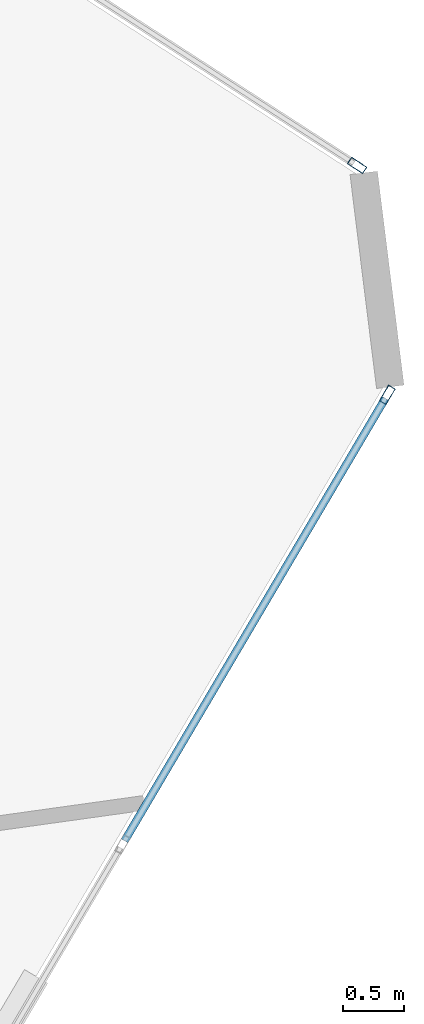
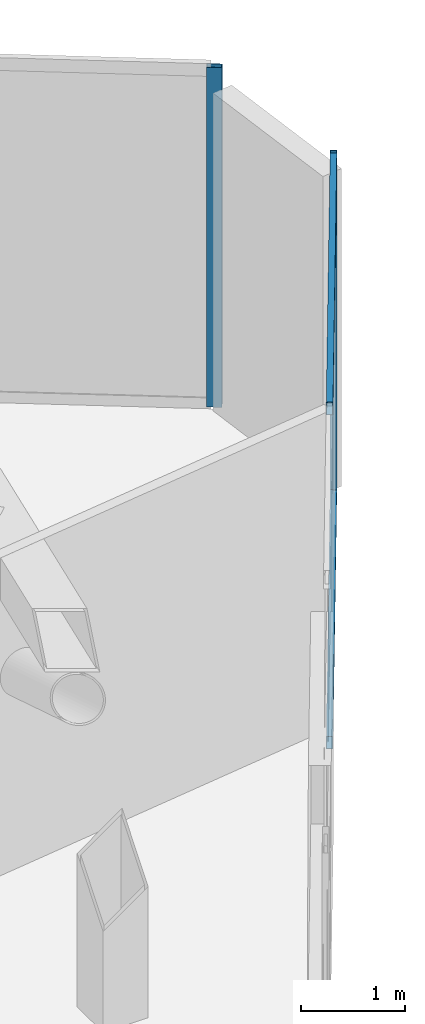
# One storey, part 14 of 19: 4 members, 2 elements without a shape of their own.
"""IFC4 building model written with IfcOpenShell, lengths in metres."""

from ifc_helpers import new_model, si_unit, direction, frame, origin, origin_2d, place, context, subcontext, project, spatial, hollow_rectangle, extrude, source, transform, mapped, material, layer, layer_set, material_profile, profile_set, type_object, type_shapes, element, aggregate, save


model = new_model("IFC4")

# Units and contexts
model_context = context("Model", 3, precision=1e-05, world=origin(), true_north=direction((0.0, 1.0)))
body_context = subcontext(model_context, "Body", "Model", "MODEL_VIEW")
ifc_project = project(units=[si_unit("LENGTHUNIT", "METRE"), si_unit("AREAUNIT", "SQUARE_METRE"), si_unit("VOLUMEUNIT", "CUBIC_METRE"), si_unit("PLANEANGLEUNIT", "RADIAN"), si_unit("MASSUNIT", "GRAM", prefix="KILO")], contexts=[model_context])

# Site, building, storey
site_placement = place(None, origin())
site = spatial("IfcSite", under=ifc_project, at=site_placement, CompositionType="ELEMENT")
building_placement = place(site_placement, origin())
building = spatial("IfcBuilding", under=site, at=building_placement, Name="Talar Marvaseh", CompositionType="ELEMENT")
storey_placement = place(building_placement, frame((0.0, 0.0, 296.0)))
storey = spatial("IfcBuildingStorey", under=building, at=storey_placement, Name="L79", CompositionType="ELEMENT", Elevation=296.0)

# Curtain wall, members
ifc_material = material(Name="Architectural Aluminium", Category="aluminium")
ifc_layer = layer(ifc_material, 0.2099609375)
ifc_layer_set = layer_set([ifc_layer], Name="Architectural Aluminium")
curtain_wall_type = type_object("IfcCurtainWallType", Name="Crown Plant Acoustic Spandrel Curtain Wall", PredefinedType="NOTDEFINED", material=ifc_layer_set)
curtain_wall_1_placement = place(storey_placement, origin())
curtain_wall_1 = element("IfcCurtainWall", 1, at=curtain_wall_1_placement, inside=storey, type_object=curtain_wall_type, Name="L79 Crown Plant Acoustic Spandrel Curtain Wall", PredefinedType="NOTDEFINED")
ifc_material_profile_1 = material_profile(ifc_material, hollow_rectangle(XDim=0.06494140625, YDim=0.14990234375, WallThickness=0.00390625, at=origin_2d()), Name="RHS150x65x4")
ifc_profile_set_1 = profile_set([ifc_material_profile_1], Name="Architectural Aluminium")
member_type_1 = type_object("IfcMemberType", Name="Unitised Curtain Wall Slim Transom RHS150x65x4", PredefinedType="USERDEFINED", material=ifc_profile_set_1)
shared_shape_1 = source(origin(), body_context, "Body", "SweptSolid", [
    extrude(hollow_rectangle(XDim=0.06494140625, YDim=0.14990234375, WallThickness=0.00390625, at=origin_2d()), origin(), (0.0, 0.0, 1.0), 4.188720703125),
])
type_shapes(member_type_1, [shared_shape_1])
member_1_placement = place(storey_placement, frame((43.3779296875, 32.960693359375, 0.032470703125), z_axis=(-0.507656771045, -0.86155940179, 0.0), x_axis=(0.86155940179, -0.507656771045, 0.0)))
member_1 = element("IfcMember", 2, at=member_1_placement, type_object=member_type_1, Name="CW-CRN transom 1.1", ObjectType="TRANSOM", PredefinedType="USERDEFINED", context=body_context, shape_type="MappedRepresentation", body=[
    mapped(shared_shape_1, transform((0.0, 0.0, 0.0), x_axis=(1.0, 0.0, 0.0), y_axis=(0.0, 1.0, 0.0), z_axis=(0.0, 0.0, 1.0), scale=1.0)),
])
member_2_placement = place(storey_placement, frame((43.3779296875, 32.960693359375, 3.967529296875), z_axis=(-0.507656771045, -0.86155940179, 0.0), x_axis=(0.86155940179, -0.507656771045, 0.0)))
member_2 = element("IfcMember", 3, at=member_2_placement, type_object=member_type_1, Name="CW-CRN transom 1.2", ObjectType="TRANSOM", PredefinedType="USERDEFINED", context=body_context, shape_type="MappedRepresentation", body=[
    mapped(shared_shape_1, transform((0.0, 0.0, 0.0), x_axis=(1.0, 0.0, 0.0), y_axis=(0.0, 1.0, 0.0), z_axis=(0.0, 0.0, 1.0), scale=1.0)),
])

# Curtain wall, member
curtain_wall_2_placement = place(storey_placement, origin())
curtain_wall_2 = element("IfcCurtainWall", 4, at=curtain_wall_2_placement, inside=storey, type_object=curtain_wall_type, Name="L79 Crown Plant Acoustic Spandrel Curtain Wall", PredefinedType="NOTDEFINED")
ifc_material_profile_2 = material_profile(ifc_material, hollow_rectangle(XDim=0.06494140625, YDim=0.14990234375, WallThickness=0.00390625, at=origin_2d()), Name="RHS150x65x4")
ifc_profile_set_2 = profile_set([ifc_material_profile_2], Name="Architectural Aluminium")
member_type_2 = type_object("IfcMemberType", Name="Unitised Curtain Wall Slim Mullion RHS150x65x4", PredefinedType="MULLION", material=ifc_profile_set_2)
shared_shape_2 = source(origin(), body_context, "Body", "SweptSolid", [
    extrude(hollow_rectangle(XDim=0.06494140625, YDim=0.14990234375, WallThickness=0.00390625, at=origin_2d()), origin(), (0.0, 0.0, 1.0), 4.0),
])
type_shapes(member_type_2, [shared_shape_2])
member_3_placement = place(storey_placement, frame((43.14794921875, 34.859619140625, 0.0), z_axis=(0.0, 0.0, 1.0), x_axis=(0.54238794961, 0.840128152199, 0.0)))
member_3 = element("IfcMember", 5, at=member_3_placement, type_object=member_type_2, Name="CW-CRN mullion 4", PredefinedType="MULLION", context=body_context, shape_type="MappedRepresentation", body=[
    mapped(shared_shape_2, transform((0.0, 0.0, 0.0), x_axis=(1.0, 0.0, 0.0), y_axis=(0.0, 1.0, 0.0), z_axis=(0.0, 0.0, 1.0), scale=1.0)),
])
aggregate(curtain_wall_2, [member_3])

# Member
member_4_placement = place(storey_placement, frame((43.394287109375, 32.988525390625, 0.0), z_axis=(0.0, 0.0, 1.0), x_axis=(0.861550579207, -0.507671743815, 0.0)))
member_4 = element("IfcMember", 6, at=member_4_placement, type_object=member_type_2, Name="CW-CRN mullion 1", PredefinedType="MULLION", context=body_context, shape_type="MappedRepresentation", body=[
    mapped(shared_shape_2, transform((0.0, 0.0, 0.0), x_axis=(1.0, 0.0, 0.0), y_axis=(0.0, 1.0, 0.0), z_axis=(0.0, 0.0, 1.0), scale=1.0)),
])

aggregate(curtain_wall_1, [member_4, member_1, member_2])

save(model, "model.ifc")
